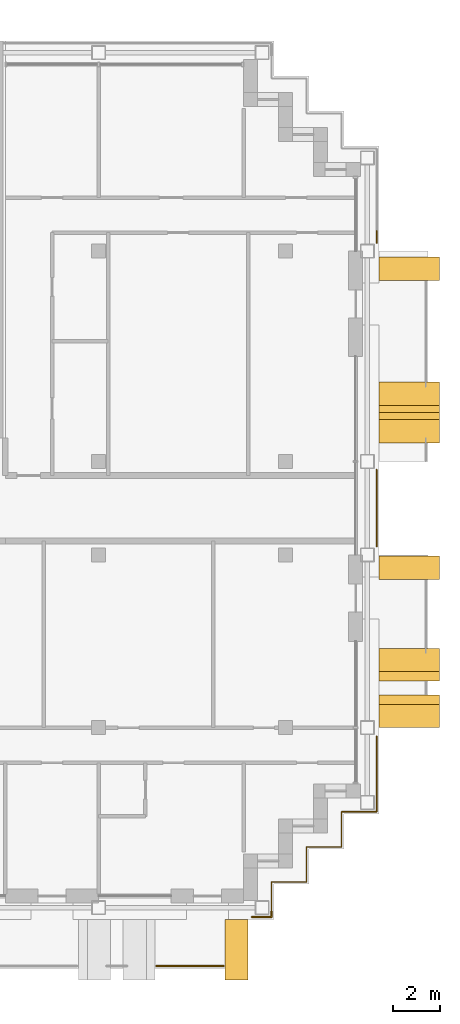
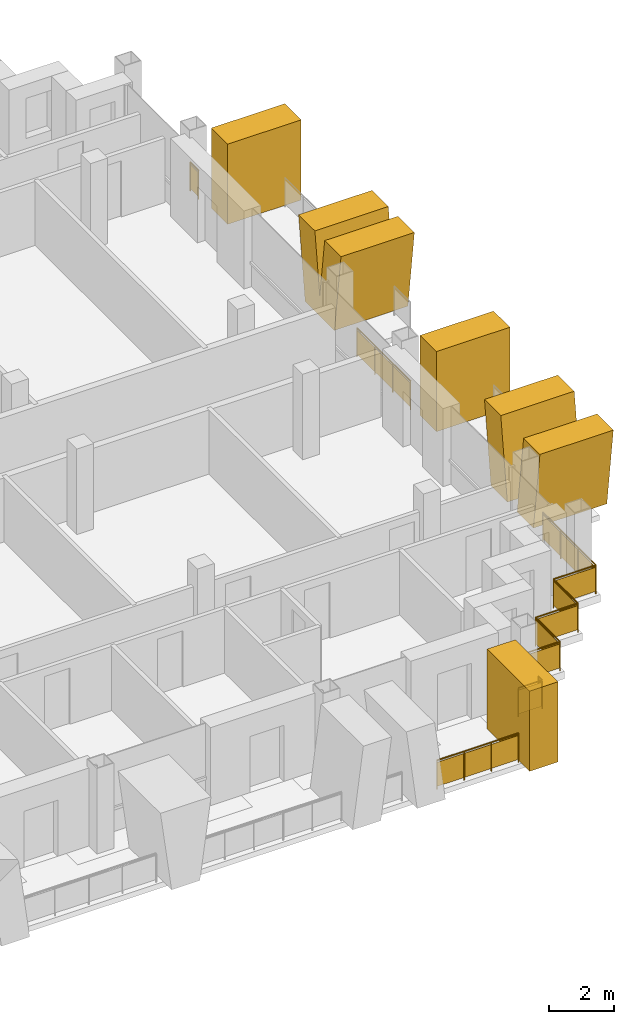
# One storey, part 14 of 16: 6 shading devices, 5 railings.
"""IFC4 building model written with IfcOpenShell, lengths in metres."""

from ifc_helpers import new_model, si_unit, direction, frame, origin, origin_2d, place, context, subcontext, project, spatial, polyline, rectangle, circle, outline, extrude, material, layer, layer_set, type_object, element, save


model = new_model("IFC4")

# Units and contexts
model_context = context("Model", 3, precision=1e-05, world=origin(), true_north=direction((0.0, 1.0)))
body_context = subcontext(model_context, "Body", "Model", "MODEL_VIEW")
ifc_project = project(units=[si_unit("LENGTHUNIT", "METRE"), si_unit("AREAUNIT", "SQUARE_METRE"), si_unit("VOLUMEUNIT", "CUBIC_METRE"), si_unit("PLANEANGLEUNIT", "RADIAN"), si_unit("MASSUNIT", "GRAM", prefix="KILO")], contexts=[model_context])

# Site, building, storey
site_placement = place(None, origin())
site = spatial("IfcSite", under=ifc_project, at=site_placement, CompositionType="ELEMENT")
building_placement = place(site_placement, origin())
building = spatial("IfcBuilding", under=site, at=building_placement, Name="Vidyagriha Tower", CompositionType="ELEMENT")
storey_placement = place(building_placement, frame((0.0, 0.0, 223.60009765625)))
storey = spatial("IfcBuildingStorey", under=building, at=storey_placement, Name="L58", CompositionType="ELEMENT", Elevation=223.60009765625)

# Railing
ifc_material_1 = material(Name="Steel ASTM A500 Grade C black painted", Category="steel")
railing_type_1 = type_object("IfcRailingType", Name="Balcony guard 1100", PredefinedType="BALUSTRADE", material=ifc_material_1)
railing_1_placement = place(storey_placement, frame((20.46875, -19.60009765625, 0.0)))
element("IfcRailing", 1, at=railing_1_placement, inside=storey, type_object=railing_type_1, Name="Balcony guard L58 R23.1-10", PredefinedType="BALUSTRADE", context=body_context, shape_type="SweptSolid", body=[
    extrude(circle(Radius=0.02490234375, at=origin_2d()), frame((0.0, 0.0, 1.0751953125), z_axis=(1.0, 0.0, 0.0), x_axis=(0.0, 1.0, 0.0)), (0.0, 0.0, 1.0), 2.88134765625),
    extrude(circle(Radius=0.02001953125, at=origin_2d()), origin(), (0.0, 0.0, 1.0), 1.050048828125),
    extrude(circle(Radius=0.02001953125, at=origin_2d()), frame((0.96044921875, 0.0, 0.0)), (0.0, 0.0, 1.0), 1.050048828125),
    extrude(circle(Radius=0.02001953125, at=origin_2d()), frame((1.9208984375, 0.0, 0.0)), (0.0, 0.0, 1.0), 1.050048828125),
    extrude(circle(Radius=0.02001953125, at=origin_2d()), frame((2.88134765625, 0.0, 0.0)), (0.0, 0.0, 1.0), 1.050048828125),
    extrude(rectangle(XDim=0.010009765625, YDim=0.900146484375, at=origin_2d()), frame((0.0, 0.0, 0.550048828125), z_axis=(1.0, 0.0, 0.0), x_axis=(0.0, 1.0, 0.0)), (0.0, 0.0, 1.0), 2.88134765625),
])

# Shading devices
ifc_material_2 = material(Name="Precast concrete C40/50 with buff brick facing", Category="concrete")
ifc_layer_1 = layer(ifc_material_2, 1.0)
ifc_layer_set_1 = layer_set([ifc_layer_1], Name="Precast concrete C40/50 with buff brick facing")
shading_device_type_1 = type_object("IfcShadingDeviceType", Name="Brick-faced blade fin arm leaning 8 degrees", PredefinedType="USERDEFINED", material=ifc_layer_set_1)
shading_device_1_placement = place(storey_placement, frame((31.300048828125, -7.39990234375, 0.0), z_axis=(0.0, 0.0, 1.0), x_axis=(0.0, 1.0, 0.0)))
element("IfcShadingDevice", 2, at=shading_device_1_placement, inside=storey, type_object=shading_device_type_1, Name="Leaning blade fin L58 R30.240a", ObjectType="BLADE FIN", PredefinedType="USERDEFINED", context=body_context, shape_type="SweptSolid", body=[
    extrude(outline(polyline([(0.0, 0.0), (1.0, 0.0), (1.39990234375, 3.0), (0.39990234375, 3.0), (0.0, 0.0)])), frame((0.0, 1.300048828125, 0.0), z_axis=(0.0, -1.0, 0.0), x_axis=(1.0, 0.0, 0.0)), (0.0, 0.0, 1.0), 2.60009765625),
])
shading_device_2_placement = place(storey_placement, frame((31.300048828125, -9.39990234375, 0.0), z_axis=(0.0, 0.0, 1.0), x_axis=(0.0, 1.0, 0.0)))
element("IfcShadingDevice", 3, at=shading_device_2_placement, inside=storey, type_object=shading_device_type_1, Name="Leaning blade fin L58 R30.240b", ObjectType="BLADE FIN", PredefinedType="USERDEFINED", context=body_context, shape_type="SweptSolid", body=[
    extrude(outline(polyline([(0.39990234375, 0.0), (1.39990234375, 0.0), (1.0, 3.0), (0.0, 3.0), (0.39990234375, 0.0)])), frame((0.0, 1.300048828125, 0.0), z_axis=(0.0, -1.0, 0.0), x_axis=(1.0, 0.0, 0.0)), (0.0, 0.0, 1.0), 2.60009765625),
])
ifc_material_3 = material(Name="Precast concrete C40/50 with buff brick facing", Category="concrete")
ifc_layer_2 = layer(ifc_material_3, 1.0)
ifc_layer_set_2 = layer_set([ifc_layer_2], Name="Precast concrete C40/50 with buff brick facing")
shading_device_type_2 = type_object("IfcShadingDeviceType", Name="Brick-faced blade fin forking 8 degrees", PredefinedType="USERDEFINED", material=ifc_layer_set_2)
shading_device_3_placement = place(storey_placement, frame((31.300048828125, 2.800048828125, 0.0), z_axis=(0.0, 0.0, 1.0), x_axis=(0.0, 1.0, 0.0)))
element("IfcShadingDevice", 4, at=shading_device_3_placement, inside=storey, type_object=shading_device_type_2, Name="Forked blade fin L58 R30.1380a", ObjectType="BLADE FIN", PredefinedType="USERDEFINED", context=body_context, shape_type="SweptSolid", body=[
    extrude(outline(polyline([(0.39990234375, 0.0), (2.199951171875, 0.0), (2.60009765625, 3.0), (1.60009765625, 3.0), (1.300048828125, 0.75), (1.0, 3.0), (0.0, 3.0), (0.39990234375, 0.0)])), frame((0.0, 1.300048828125, 0.0), z_axis=(0.0, -1.0, 0.0), x_axis=(1.0, 0.0, 0.0)), (0.0, 0.0, 1.0), 2.60009765625),
])
ifc_material_4 = material(Name="Precast concrete C40/50 with buff brick facing", Category="concrete")
ifc_layer_3 = layer(ifc_material_4, 1.0)
ifc_layer_set_3 = layer_set([ifc_layer_3], Name="Precast concrete C40/50 with buff brick facing")
shading_device_type_3 = type_object("IfcShadingDeviceType", Name="Brick-faced blade fin stem 1000", PredefinedType="USERDEFINED", material=ifc_layer_set_3)
shading_device_4_placement = place(storey_placement, frame((23.39990234375, -18.89990234375, 0.0)))
element("IfcShadingDevice", 5, at=shading_device_4_placement, inside=storey, type_object=shading_device_type_3, Name="Stem blade fin L58 R23.4840a", ObjectType="BLADE FIN", PredefinedType="USERDEFINED", context=body_context, shape_type="SweptSolid", body=[
    extrude(outline(polyline([(0.0, 0.0), (1.0, 0.0), (1.0, 3.0), (0.0, 3.0), (0.0, 0.0)])), frame((0.0, 1.300048828125, 0.0), z_axis=(0.0, -1.0, 0.0), x_axis=(1.0, 0.0, 0.0)), (0.0, 0.0, 1.0), 2.60009765625),
])
for number, where, z_axis, x_axis, name in (
    (6, (31.300048828125, -3.050048828125, 0.0), (0.0, 0.0, 1.0), (0.0, 1.0, 0.0), "Stem blade fin L58 R30.980a"),
    (7, (31.300048828125, 9.75, 0.0), (0.0, 0.0, 1.0), (0.0, 1.0, 0.0), "Stem blade fin L58 R30.2280a"),
):
    element("IfcShadingDevice", number, at=place(storey_placement, frame(where, z_axis=z_axis, x_axis=x_axis)), inside=storey, type_object=shading_device_type_3, Name=name, ObjectType="BLADE FIN", PredefinedType="USERDEFINED", context=body_context, shape_type="SweptSolid", body=[
        extrude(outline(polyline([(0.0, 0.0), (1.0, 0.0), (1.0, 3.0), (0.0, 3.0), (0.0, 0.0)])), frame((0.0, 1.300048828125, 0.0), z_axis=(0.0, -1.0, 0.0), x_axis=(1.0, 0.0, 0.0)), (0.0, 0.0, 1.0), 2.60009765625),
    ])

# Railings
ifc_material_5 = material(Name="Steel ASTM A500 Grade C black painted", Category="steel")
railing_type_2 = type_object("IfcRailingType", Name="Gallery guard 1100", PredefinedType="GUARDRAIL", material=ifc_material_5)
railing_2_placement = place(storey_placement, frame((29.89990234375, 11.8701171875, 0.0)))
element("IfcRailing", 8, at=railing_2_placement, inside=storey, type_object=railing_type_2, Name="Gallery guard L58 9", PredefinedType="GUARDRAIL", context=body_context, shape_type="SweptSolid", body=[
    extrude(circle(Radius=0.02490234375, at=origin_2d()), frame((0.0, 0.0, 1.0751953125), z_axis=(0.0, -1.0, 0.0), x_axis=(1.0, 0.0, 0.0)), (0.0, 0.0, 1.0), 0.510009765625),
    extrude(circle(Radius=0.02001953125, at=origin_2d()), origin(), (0.0, 0.0, 1.0), 1.050048828125),
    extrude(circle(Radius=0.02001953125, at=origin_2d()), frame((0.0, -0.510009765625, 0.0)), (0.0, 0.0, 1.0), 1.050048828125),
    extrude(rectangle(XDim=0.010009765625, YDim=0.900146484375, at=origin_2d()), frame((0.0, 0.0, 0.550048828125), z_axis=(0.0, -1.0, 0.0), x_axis=(1.0, 0.0, 0.0)), (0.0, 0.0, 1.0), 0.510009765625),
])
railing_3_placement = place(storey_placement, frame((29.89990234375, -9.760009765625, 0.0)))
element("IfcRailing", 9, at=railing_3_placement, inside=storey, type_object=railing_type_2, Name="Gallery guard L58 10", PredefinedType="GUARDRAIL", context=body_context, shape_type="SweptSolid", body=[
    extrude(circle(Radius=0.02490234375, at=origin_2d()), frame((0.0, 0.0, 1.0751953125), z_axis=(0.0, -1.0, 0.0), x_axis=(1.0, 0.0, 0.0)), (0.0, 0.0, 1.0), 3.239990234375),
    extrude(circle(Radius=0.02490234375, at=origin_2d()), frame((0.0, -3.239990234375, 1.0751953125), z_axis=(-1.0, 0.0, 0.0), x_axis=(0.0, -1.0, 0.0)), (0.0, 0.0, 1.0), 1.5),
    extrude(circle(Radius=0.02490234375, at=origin_2d()), frame((-1.5, -3.239990234375, 1.0751953125), z_axis=(0.0, -1.0, 0.0), x_axis=(1.0, 0.0, 0.0)), (0.0, 0.0, 1.0), 1.5),
    extrude(circle(Radius=0.02490234375, at=origin_2d()), frame((-1.5, -4.739990234375, 1.0751953125), z_axis=(-1.0, 0.0, 0.0), x_axis=(0.0, -1.0, 0.0)), (0.0, 0.0, 1.0), 1.5),
    extrude(circle(Radius=0.02490234375, at=origin_2d()), frame((-3.0, -4.739990234375, 1.0751953125), z_axis=(0.0, -1.0, 0.0), x_axis=(1.0, 0.0, 0.0)), (0.0, 0.0, 1.0), 1.5),
    extrude(circle(Radius=0.02490234375, at=origin_2d()), frame((-3.0, -6.239990234375, 1.0751953125), z_axis=(-1.0, 0.0, 0.0), x_axis=(0.0, -1.0, 0.0)), (0.0, 0.0, 1.0), 1.5),
    extrude(circle(Radius=0.02490234375, at=origin_2d()), frame((-4.5, -6.239990234375, 1.0751953125), z_axis=(0.0, -1.0, 0.0), x_axis=(1.0, 0.0, 0.0)), (0.0, 0.0, 1.0), 1.260009765625),
    extrude(circle(Radius=0.02001953125, at=origin_2d()), origin(), (0.0, 0.0, 1.0), 1.050048828125),
    extrude(circle(Radius=0.02001953125, at=origin_2d()), frame((0.0, -1.080078125, 0.0)), (0.0, 0.0, 1.0), 1.050048828125),
    extrude(circle(Radius=0.02001953125, at=origin_2d()), frame((0.0, -2.159912109375, 0.0)), (0.0, 0.0, 1.0), 1.050048828125),
    extrude(circle(Radius=0.02001953125, at=origin_2d()), frame((0.0, -3.239990234375, 0.0)), (0.0, 0.0, 1.0), 1.050048828125),
    extrude(circle(Radius=0.02001953125, at=origin_2d()), frame((-1.5, -3.239990234375, 0.0)), (0.0, 0.0, 1.0), 1.050048828125),
    extrude(circle(Radius=0.02001953125, at=origin_2d()), frame((-1.5, -4.739990234375, 0.0)), (0.0, 0.0, 1.0), 1.050048828125),
    extrude(circle(Radius=0.02001953125, at=origin_2d()), frame((-3.0, -4.739990234375, 0.0)), (0.0, 0.0, 1.0), 1.050048828125),
    extrude(circle(Radius=0.02001953125, at=origin_2d()), frame((-3.0, -6.239990234375, 0.0)), (0.0, 0.0, 1.0), 1.050048828125),
    extrude(circle(Radius=0.02001953125, at=origin_2d()), frame((-4.5, -6.239990234375, 0.0)), (0.0, 0.0, 1.0), 1.050048828125),
    extrude(circle(Radius=0.02001953125, at=origin_2d()), frame((-4.5, -7.5, 0.0)), (0.0, 0.0, 1.0), 1.050048828125),
    extrude(rectangle(XDim=0.010009765625, YDim=0.900146484375, at=origin_2d()), frame((0.0, 0.0, 0.550048828125), z_axis=(0.0, -1.0, 0.0), x_axis=(1.0, 0.0, 0.0)), (0.0, 0.0, 1.0), 3.239990234375),
    extrude(rectangle(XDim=0.010009765625, YDim=0.900146484375, at=origin_2d()), frame((0.0, -3.239990234375, 0.550048828125), z_axis=(-1.0, 0.0, 0.0), x_axis=(0.0, -1.0, 0.0)), (0.0, 0.0, 1.0), 1.5),
    extrude(rectangle(XDim=0.010009765625, YDim=0.900146484375, at=origin_2d()), frame((-1.5, -3.239990234375, 0.550048828125), z_axis=(0.0, -1.0, 0.0), x_axis=(1.0, 0.0, 0.0)), (0.0, 0.0, 1.0), 1.5),
    extrude(rectangle(XDim=0.010009765625, YDim=0.900146484375, at=origin_2d()), frame((-1.5, -4.739990234375, 0.550048828125), z_axis=(-1.0, 0.0, 0.0), x_axis=(0.0, -1.0, 0.0)), (0.0, 0.0, 1.0), 1.5),
    extrude(rectangle(XDim=0.010009765625, YDim=0.900146484375, at=origin_2d()), frame((-3.0, -4.739990234375, 0.550048828125), z_axis=(0.0, -1.0, 0.0), x_axis=(1.0, 0.0, 0.0)), (0.0, 0.0, 1.0), 1.5),
    extrude(rectangle(XDim=0.010009765625, YDim=0.900146484375, at=origin_2d()), frame((-3.0, -6.239990234375, 0.550048828125), z_axis=(-1.0, 0.0, 0.0), x_axis=(0.0, -1.0, 0.0)), (0.0, 0.0, 1.0), 1.5),
    extrude(rectangle(XDim=0.010009765625, YDim=0.900146484375, at=origin_2d()), frame((-4.5, -6.239990234375, 0.550048828125), z_axis=(0.0, -1.0, 0.0), x_axis=(1.0, 0.0, 0.0)), (0.0, 0.0, 1.0), 1.260009765625),
])
railing_4_placement = place(storey_placement, frame((25.39990234375, -17.260009765625, 0.0)))
element("IfcRailing", 10, at=railing_4_placement, inside=storey, type_object=railing_type_2, Name="Gallery guard L58 11", PredefinedType="GUARDRAIL", context=body_context, shape_type="SweptSolid", body=[
    extrude(circle(Radius=0.02490234375, at=origin_2d()), frame((0.0, 0.0, 1.0751953125), z_axis=(0.0, -1.0, 0.0), x_axis=(1.0, 0.0, 0.0)), (0.0, 0.0, 1.0), 0.239990234375),
    extrude(circle(Radius=0.02490234375, at=origin_2d()), frame((0.0, -0.239990234375, 1.0751953125), z_axis=(-1.0, 0.0, 0.0), x_axis=(0.0, -1.0, 0.0)), (0.0, 0.0, 1.0), 0.83984375),
    extrude(circle(Radius=0.02001953125, at=origin_2d()), origin(), (0.0, 0.0, 1.0), 1.050048828125),
    extrude(circle(Radius=0.02001953125, at=origin_2d()), frame((0.0, -0.239990234375, 0.0)), (0.0, 0.0, 1.0), 1.050048828125),
    extrude(circle(Radius=0.02001953125, at=origin_2d()), frame((-0.83984375, -0.239990234375, 0.0)), (0.0, 0.0, 1.0), 1.050048828125),
    extrude(rectangle(XDim=0.010009765625, YDim=0.900146484375, at=origin_2d()), frame((0.0, 0.0, 0.550048828125), z_axis=(0.0, -1.0, 0.0), x_axis=(1.0, 0.0, 0.0)), (0.0, 0.0, 1.0), 0.239990234375),
    extrude(rectangle(XDim=0.010009765625, YDim=0.900146484375, at=origin_2d()), frame((0.0, -0.239990234375, 0.550048828125), z_axis=(-1.0, 0.0, 0.0), x_axis=(0.0, -1.0, 0.0)), (0.0, 0.0, 1.0), 0.83984375),
])
railing_5_placement = place(storey_placement, frame((29.89990234375, 1.639892578125, 0.0)))
element("IfcRailing", 11, at=railing_5_placement, inside=storey, type_object=railing_type_2, Name="Gallery guard L58 12", PredefinedType="GUARDRAIL", context=body_context, shape_type="SweptSolid", body=[
    extrude(circle(Radius=0.02490234375, at=origin_2d()), frame((0.0, 0.0, 1.0751953125), z_axis=(0.0, -1.0, 0.0), x_axis=(1.0, 0.0, 0.0)), (0.0, 0.0, 1.0), 3.27978515625),
    extrude(circle(Radius=0.02001953125, at=origin_2d()), origin(), (0.0, 0.0, 1.0), 1.050048828125),
    extrude(circle(Radius=0.02001953125, at=origin_2d()), frame((0.0, -1.09326171875, 0.0)), (0.0, 0.0, 1.0), 1.050048828125),
    extrude(circle(Radius=0.02001953125, at=origin_2d()), frame((0.0, -2.1865234375, 0.0)), (0.0, 0.0, 1.0), 1.050048828125),
    extrude(circle(Radius=0.02001953125, at=origin_2d()), frame((0.0, -3.27978515625, 0.0)), (0.0, 0.0, 1.0), 1.050048828125),
    extrude(rectangle(XDim=0.010009765625, YDim=0.900146484375, at=origin_2d()), frame((0.0, 0.0, 0.550048828125), z_axis=(0.0, -1.0, 0.0), x_axis=(1.0, 0.0, 0.0)), (0.0, 0.0, 1.0), 3.27978515625),
])

save(model, "model.ifc")
